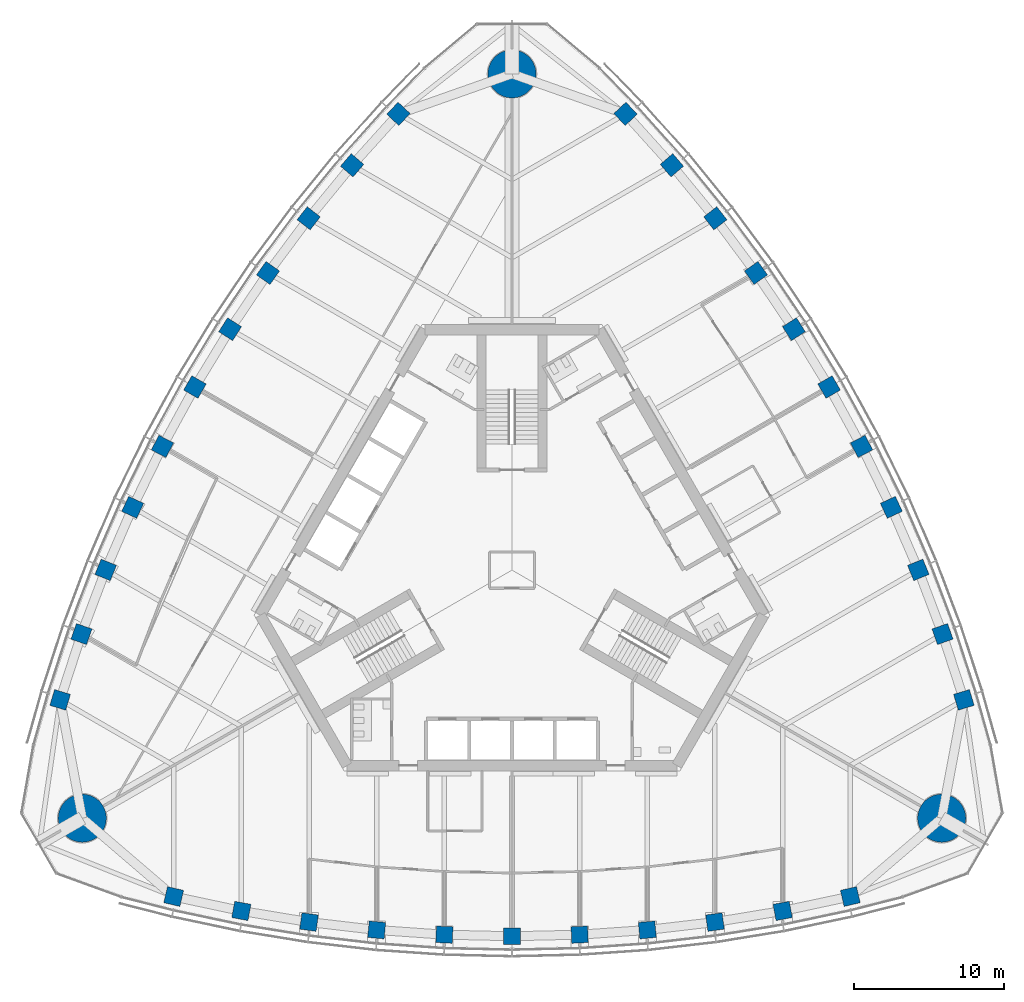
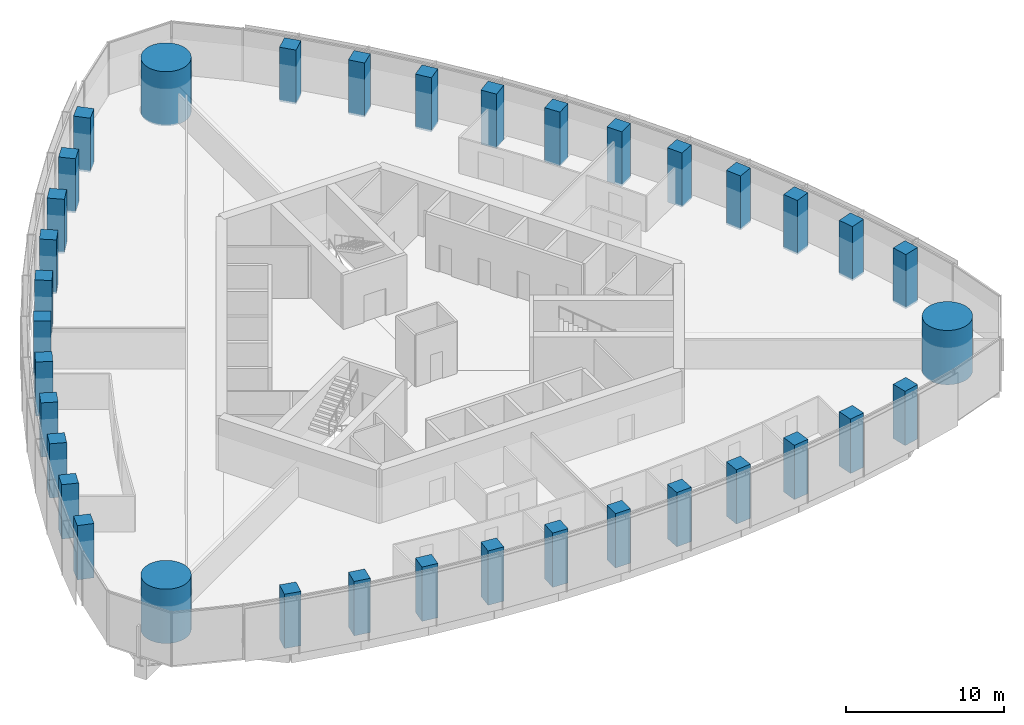
# One storey, part 1 of 19: 36 columns.
"""IFC4 building model written with IfcOpenShell, lengths in metres."""

import ifcopenshell
import ifcopenshell.guid

model = None  # the IFC model being written
_history = None  # IfcOwnerHistory: only IFC2X3 demands one
_inside = {}  # id of a spatial element -> (the spatial element, [elements in it])
_under = {}  # id of a project, library or spatial element -> (it, [spatial elements below it])
_declared = {}  # id of a project -> (the project, [libraries it declares])
_typed = {}  # id of a type object -> (the type object, [elements of that type])
_made_of = {}  # id of a material, layer set ... -> (it, [elements and type objects made of it])


def new_model(schema):
    """Start an empty IFC model of exactly this schema.

    Asked for "IFC4X3", IfcOpenShell would pick the latest addendum, in which some entities
    have other attributes; the version numbers below select the first issue.
    IFC2X3 requires an IfcOwnerHistory on every rooted entity: one is made here for all.
    """
    global model, _history
    if schema == "IFC4X3":
        model = ifcopenshell.file(schema_version=(4, 3, 0, 0))
    else:
        model = ifcopenshell.file(schema=schema)
    _inside.clear()
    _under.clear()
    _declared.clear()
    _typed.clear()
    _made_of.clear()
    _history = None
    if model.schema == "IFC2X3":
        org = make("IfcOrganization", Name="unknown")
        user = make(
            "IfcPersonAndOrganization",
            ThePerson=make("IfcPerson", FamilyName="unknown"),
            TheOrganization=org,
        )
        app = make(
            "IfcApplication",
            ApplicationDeveloper=org,
            Version="unknown",
            ApplicationFullName="unknown",
            ApplicationIdentifier="unknown",
        )
        _history = make(
            "IfcOwnerHistory",
            OwningUser=user,
            OwningApplication=app,
            ChangeAction="ADDED",
            CreationDate=0,
        )
    return model


def make(cls, **values):
    """One entity of the class cls with the attributes given. An attribute that is None is left unset."""
    return model.create_entity(
        cls, **{name: value for name, value in values.items() if value is not None}
    )


def rooted(cls, **values):
    """An entity with a GlobalId (a new one), such as an element, a storey or a relation."""
    return make(cls, GlobalId=ifcopenshell.guid.new(), OwnerHistory=_history, **values)


def si_unit(unit_type, name, prefix=None):
    """IfcSIUnit, for example si_unit("LENGTHUNIT", "METRE", prefix="MILLI")."""
    return make("IfcSIUnit", UnitType=unit_type, Prefix=prefix, Name=name)


def assignment(units):
    """IfcUnitAssignment: the units of a project."""
    return None if units is None else make("IfcUnitAssignment", Units=units)


def point(xyz):
    """IfcCartesianPoint."""
    return None if xyz is None else make("IfcCartesianPoint", Coordinates=xyz)


def direction(xyz):
    """IfcDirection."""
    return None if xyz is None else make("IfcDirection", DirectionRatios=xyz)


def frame(location, z_axis=None, x_axis=None):
    """IfcAxis2Placement3D, a coordinate frame: its origin and axes. An axis left out is left unset."""
    return make(
        "IfcAxis2Placement3D",
        Location=point(location),
        Axis=direction(z_axis),
        RefDirection=direction(x_axis),
    )


def frame_2d(location, x_axis=None):
    """IfcAxis2Placement2D, a coordinate frame in the plane: its origin and x axis."""
    return make(
        "IfcAxis2Placement2D", Location=point(location), RefDirection=direction(x_axis)
    )


def origin():
    """The frame at (0, 0, 0) with its axes left unset."""
    return frame((0.0, 0.0, 0.0))


def origin_2d():
    """The frame at (0, 0) in the plane with its x axis left unset."""
    return frame_2d((0.0, 0.0))


def place(relative_to, where):
    """IfcLocalPlacement: puts the frame where relative to a parent placement (None: the world)."""
    return make(
        "IfcLocalPlacement", PlacementRelTo=relative_to, RelativePlacement=where
    )


def context(
    kind, dimensions, precision=None, world=None, true_north=None, identifier=None
):
    """IfcGeometricRepresentationContext, for example the 3D "Model" context."""
    return make(
        "IfcGeometricRepresentationContext",
        ContextIdentifier=identifier,
        ContextType=kind,
        CoordinateSpaceDimension=dimensions,
        Precision=precision,
        WorldCoordinateSystem=world,
        TrueNorth=true_north,
    )


def subcontext(parent, identifier, kind, view, scale=None):
    """IfcGeometricRepresentationSubContext, for example "Body" below "Model"."""
    return make(
        "IfcGeometricRepresentationSubContext",
        ContextIdentifier=identifier,
        ContextType=kind,
        ParentContext=parent,
        TargetScale=scale,
        TargetView=view,
    )


def project(units=None, contexts=None):
    """IfcProject with its units and contexts."""
    return rooted(
        "IfcProject",
        Name="project",
        RepresentationContexts=contexts,
        UnitsInContext=assignment(units),
    )


def spatial(cls, under=None, at=None, **own):
    """A site, building, storey or space (cls), placed at a placement, below another one or the project."""
    s = rooted(cls, ObjectPlacement=at, **own)
    if under is not None:
        _under.setdefault(under.id(), (under, []))[1].append(s)
    return s


def profile(cls, at=None, kind="AREA", **sizes):
    """A parametric profile (cls). Its sizes go by their IFC names, for example OverallWidth=200.0."""
    return make(cls, ProfileType=kind, Position=at, **sizes)


def rectangle(**sizes):
    """IfcRectangleProfileDef."""
    return profile("IfcRectangleProfileDef", **sizes)


def circle(**sizes):
    """IfcCircleProfileDef."""
    return profile("IfcCircleProfileDef", **sizes)


def extrude(swept, where, along, depth):
    """IfcExtrudedAreaSolid: the profile swept, set in the frame where, extruded along a direction by depth."""
    return make(
        "IfcExtrudedAreaSolid",
        SweptArea=swept,
        Position=where,
        ExtrudedDirection=direction(along),
        Depth=depth,
    )


def shape(context_of_items, identifier, shape_type, items):
    """IfcShapeRepresentation: the items that make up one representation, for example the "Body"."""
    return make(
        "IfcShapeRepresentation",
        ContextOfItems=context_of_items,
        RepresentationIdentifier=identifier,
        RepresentationType=shape_type,
        Items=items,
    )


def material(Name=None, Category=None):
    """IfcMaterial."""
    return make("IfcMaterial", Name=Name, Category=Category)


def material_profile(
    of_material, cross_section, Name=None, Category=None, Priority=None
):
    """IfcMaterialProfile: a cross section and its material."""
    return make(
        "IfcMaterialProfile",
        Name=Name,
        Material=of_material,
        Profile=cross_section,
        Priority=Priority,
        Category=Category,
    )


def profile_set(profiles, Name=None, composite=None):
    """IfcMaterialProfileSet."""
    return make(
        "IfcMaterialProfileSet",
        Name=Name,
        MaterialProfiles=profiles,
        CompositeProfile=composite,
    )


def made_of(thing, what):
    """Note that an element or type object is made of a material, layer set ...; save() writes the relation."""
    if what is not None:
        _made_of.setdefault(what.id(), (what, []))[1].append(thing)
    return thing


def type_object(cls, material=None, **own):
    """A type object (cls), such as IfcWallType, which elements share."""
    return made_of(rooted(cls, **own), material)


def element(
    cls,
    number,
    at=None,
    inside=None,
    cuts=None,
    type_object=None,
    material=None,
    context=None,
    identifier="Body",
    shape_type=None,
    held_by="IfcProductDefinitionShape",
    body=None,
    shapes=None,
    **own,
):
    """One element of the class cls, such as IfcWall. Its Tag is "e" and its number.

    at: its placement. inside: the storey or other place that contains it. cuts: it is an
    opening in that element (IfcRelVoidsElement). A single representation is given by context,
    identifier, shape_type and body (its items); several are given by shapes. held_by: the class
    of the entity that holds the representations. save() writes the other relations.
    """
    e = rooted(cls, Tag="e%d" % number, ObjectPlacement=at, **own)
    if body is not None:
        shapes = [shape(context, identifier, shape_type, body)]
    if shapes is not None:
        e.Representation = make(held_by, Representations=shapes)
    if inside is not None:
        _inside.setdefault(inside.id(), (inside, []))[1].append(e)
    if cuts is not None:
        rooted(
            "IfcRelVoidsElement", RelatingBuildingElement=cuts, RelatedOpeningElement=e
        )
    if type_object is not None:
        _typed.setdefault(type_object.id(), (type_object, []))[1].append(e)
    return made_of(e, material)


def aggregate(whole, parts):
    """IfcRelAggregates: a whole, such as a stair, and the parts it consists of."""
    return rooted("IfcRelAggregates", RelatingObject=whole, RelatedObjects=parts)


def save(model, path):
    """Write the relations noted so far, then the file.

    IfcRelAggregates (storeys below a building ...), IfcRelContainedInSpatialStructure (elements
    in a storey), IfcRelDefinesByType, IfcRelAssociatesMaterial and IfcRelDeclares: one each for
    every whole, place, type object, material and project.
    """
    for whole, parts in _under.values():
        aggregate(whole, parts)
    for where, things in _inside.values():
        rooted(
            "IfcRelContainedInSpatialStructure",
            RelatedElements=things,
            RelatingStructure=where,
        )
    for kind, things in _typed.values():
        rooted("IfcRelDefinesByType", RelatedObjects=things, RelatingType=kind)
    for what, things in _made_of.values():
        rooted("IfcRelAssociatesMaterial", RelatedObjects=things, RelatingMaterial=what)
    for by, libraries in _declared.values():
        rooted("IfcRelDeclares", RelatingContext=by, RelatedDefinitions=libraries)
    model.write(path)


model = new_model("IFC4")

# Units and contexts
model_context = context("Model", 3, precision=1e-05, world=origin(), true_north=direction((0.0, 1.0)))
body_context = subcontext(model_context, "Body", "Model", "MODEL_VIEW")
ifc_project = project(units=[si_unit("LENGTHUNIT", "METRE"), si_unit("AREAUNIT", "SQUARE_METRE"), si_unit("VOLUMEUNIT", "CUBIC_METRE"), si_unit("PLANEANGLEUNIT", "RADIAN"), si_unit("MASSUNIT", "GRAM", prefix="KILO")], contexts=[model_context])

# Site, building, storey
site_placement = place(None, origin())
site = spatial("IfcSite", under=ifc_project, at=site_placement, CompositionType="ELEMENT")
building_placement = place(site_placement, origin())
building = spatial("IfcBuilding", under=site, at=building_placement, Name="Trefoil Bronze Tower", CompositionType="ELEMENT")
storey_placement = place(building_placement, frame((0.0, 0.0, 223.300048828125)))
storey = spatial("IfcBuildingStorey", under=building, at=storey_placement, Name="L51", CompositionType="ELEMENT", Elevation=223.300048828125)

# Columns
ifc_material_1 = material(Name="Concrete B80", Category="concrete")
ifc_material_profile_1 = material_profile(ifc_material_1, circle(Radius=1.60009765625, at=origin_2d()), Name="RC D3200")
ifc_profile_set_1 = profile_set([ifc_material_profile_1], Name="Concrete B80")
column_type_1 = type_object("IfcColumnType", Name="Mega column RC D3200", PredefinedType="COLUMN", material=ifc_profile_set_1)
for number, where, z_axis, x_axis, name in (
    (1, (28.578857421875, -16.5, 0.0), (0.0, 0.0, 1.0), (1.0, 0.0, 0.0), "Mega column K1 L51"),
    (2, (0.0, 33.0, 0.0), (0.0, 0.0, 1.0), (1.0, 0.0, 0.0), "Mega column K2 L51"),
    (3, (-28.578857421875, -16.5, 0.0), (0.0, 0.0, 1.0), (1.0, 0.0, 0.0), "Mega column K3 L51"),
):
    element("IfcColumn", number, at=place(storey_placement, frame(where, z_axis=z_axis, x_axis=x_axis)), inside=storey, type_object=column_type_1, Name=name, PredefinedType="COLUMN", context=body_context, shape_type="SweptSolid", body=[
        extrude(circle(Radius=1.60009765625, at=origin_2d()), origin(), (0.0, 0.0, 1.0), 4.199951171875),
    ])
ifc_material_2 = material(Name="Concrete B80", Category="concrete")
ifc_material_profile_2 = material_profile(ifc_material_2, rectangle(XDim=1.10009765625, YDim=1.10009765625, at=origin_2d()), Name="RC 1100x1100")
ifc_profile_set_2 = profile_set([ifc_material_profile_2], Name="Concrete B80")
column_type_2 = type_object("IfcColumnType", Name="Tube column RC 1100x1100", PredefinedType="COLUMN", material=ifc_profile_set_2)
for number, where, z_axis, x_axis, name in (
    (4, (-22.5, -21.71044921875, 0.0), (0.0, 0.0, 1.0), (0.973875487093, -0.227082662569, 0.0), "Tube column F1/-5 L51"),
    (5, (-18.0, -22.6689453125, 0.0), (0.0, 0.0, 1.0), (0.982958917767, -0.183825368167, 0.0), "Tube column F1/-4 L51"),
    (6, (-13.5, -23.408447265625, 0.0), (0.0, 0.0, 1.0), (0.990450627582, -0.137867887204, 0.0), "Tube column F1/-3 L51"),
    (7, (-9.0, -23.932861328125, 0.0), (0.0, 0.0, 1.0), (0.995767189263, -0.091911396394, 0.0), "Tube column F1/-2 L51"),
    (8, (-4.5, -24.246337890625, 0.0), (0.0, 0.0, 1.0), (0.998943485952, -0.045955542372, 0.0), "Tube column F1/-1 L51"),
    (9, (0.0, -24.3505859375, 0.0), (0.0, 0.0, 1.0), (1.0, 0.0, 0.0), "Tube column F1/+0 L51"),
    (10, (4.5, -24.246337890625, 0.0), (0.0, 0.0, 1.0), (0.998943485952, 0.045955542372, 0.0), "Tube column F1/+1 L51"),
    (11, (9.0, -23.932861328125, 0.0), (0.0, 0.0, 1.0), (0.995767189263, 0.091911396394, 0.0), "Tube column F1/+2 L51"),
    (12, (13.5, -23.408447265625, 0.0), (0.0, 0.0, 1.0), (0.990450627582, 0.137867887204, 0.0), "Tube column F1/+3 L51"),
    (13, (18.0, -22.6689453125, 0.0), (0.0, 0.0, 1.0), (0.982958917767, 0.183825368167, 0.0), "Tube column F1/+4 L51"),
    (14, (22.5, -21.71044921875, 0.0), (0.0, 0.0, 1.0), (0.973875487093, 0.227082662569, 0.0), "Tube column F1/+5 L51"),
    (15, (30.052001953125, -8.63037109375, 0.0), (0.0, 0.0, 1.0), (-0.290278389002, 0.95694224323, 0.0), "Tube column F2/-5 L51"),
    (16, (28.632080078125, -4.25390625, 0.0), (0.0, 0.0, 1.0), (-0.332282020191, 0.943180077746, 0.0), "Tube column F2/-4 L51"),
    (17, (27.022216796875, 0.012939453125, 0.0), (0.0, 0.0, 1.0), (-0.375828221106, 0.926689348282, 0.0), "Tube column F2/-3 L51"),
    (18, (25.2265625, 4.17236328125, 0.0), (0.0, 0.0, 1.0), (-0.418285990457, 0.908315380354, 0.0), "Tube column F2/-2 L51"),
    (19, (23.248046875, 8.22607421875, 0.0), (0.0, 0.0, 1.0), (-0.459673075837, 0.888088206965, 0.0), "Tube column F2/-1 L51"),
    (20, (21.08837890625, 12.17529296875, 0.0), (0.0, 0.0, 1.0), (-0.5, 0.866025403784, 0.0), "Tube column F2/+0 L51"),
    (21, (18.748046875, 16.020263671875, 0.0), (0.0, 0.0, 1.0), (-0.539270410114, 0.842132664593, 0.0), "Tube column F2/+1 L51"),
    (22, (16.2265625, 19.7607421875, 0.0), (0.0, 0.0, 1.0), (-0.577481198806, 0.81640398396, 0.0), "Tube column F2/+2 L51"),
    (23, (13.522216796875, 23.3955078125, 0.0), (0.0, 0.0, 1.0), (-0.614622406476, 0.788821461078, 0.0), "Tube column F2/+3 L51"),
    (24, (10.632080078125, 26.923095703125, 0.0), (0.0, 0.0, 1.0), (-0.650676897576, 0.75935470958, 0.0), "Tube column F2/+4 L51"),
    (25, (7.552001953125, 30.3408203125, 0.0), (0.0, 0.0, 1.0), (-0.683597098091, 0.729859580661, 0.0), "Tube column F2/+5 L51"),
    (26, (-7.552001953125, 30.3408203125, 0.0), (0.0, 0.0, 1.0), (-0.683597098091, -0.729859580661, 0.0), "Tube column F3/-5 L51"),
    (27, (-10.632080078125, 26.923095703125, 0.0), (0.0, 0.0, 1.0), (-0.650676897576, -0.75935470958, 0.0), "Tube column F3/-4 L51"),
    (28, (-13.522216796875, 23.3955078125, 0.0), (0.0, 0.0, 1.0), (-0.614622406476, -0.788821461078, 0.0), "Tube column F3/-3 L51"),
    (29, (-16.2265625, 19.7607421875, 0.0), (0.0, 0.0, 1.0), (-0.577481198806, -0.81640398396, 0.0), "Tube column F3/-2 L51"),
    (30, (-18.748046875, 16.020263671875, 0.0), (0.0, 0.0, 1.0), (-0.539270410114, -0.842132664593, 0.0), "Tube column F3/-1 L51"),
    (31, (-21.08837890625, 12.17529296875, 0.0), (0.0, 0.0, 1.0), (-0.5, -0.866025403784, 0.0), "Tube column F3/+0 L51"),
    (32, (-23.248046875, 8.22607421875, 0.0), (0.0, 0.0, 1.0), (-0.459673075837, -0.888088206965, 0.0), "Tube column F3/+1 L51"),
    (33, (-25.2265625, 4.17236328125, 0.0), (0.0, 0.0, 1.0), (-0.418285990457, -0.908315380354, 0.0), "Tube column F3/+2 L51"),
    (34, (-27.022216796875, 0.012939453125, 0.0), (0.0, 0.0, 1.0), (-0.375828221106, -0.926689348282, 0.0), "Tube column F3/+3 L51"),
    (35, (-28.632080078125, -4.25390625, 0.0), (0.0, 0.0, 1.0), (-0.332282020191, -0.943180077746, 0.0), "Tube column F3/+4 L51"),
    (36, (-30.052001953125, -8.63037109375, 0.0), (0.0, 0.0, 1.0), (-0.290278389002, -0.95694224323, 0.0), "Tube column F3/+5 L51"),
):
    element("IfcColumn", number, at=place(storey_placement, frame(where, z_axis=z_axis, x_axis=x_axis)), inside=storey, type_object=column_type_2, Name=name, PredefinedType="COLUMN", context=body_context, shape_type="SweptSolid", body=[
        extrude(rectangle(XDim=1.10009765625, YDim=1.10009765625, at=origin_2d()), origin(), (0.0, 0.0, 1.0), 4.199951171875),
    ])

save(model, "model.ifc")
